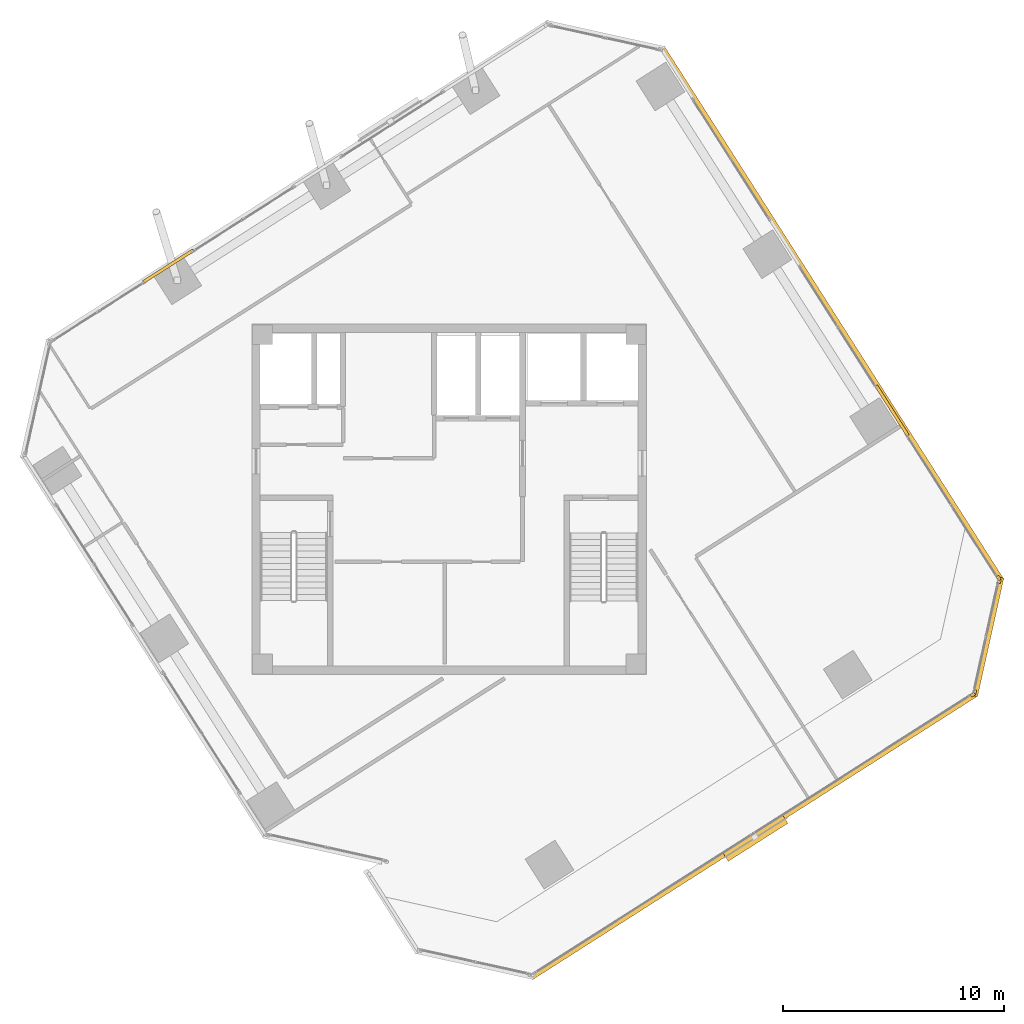
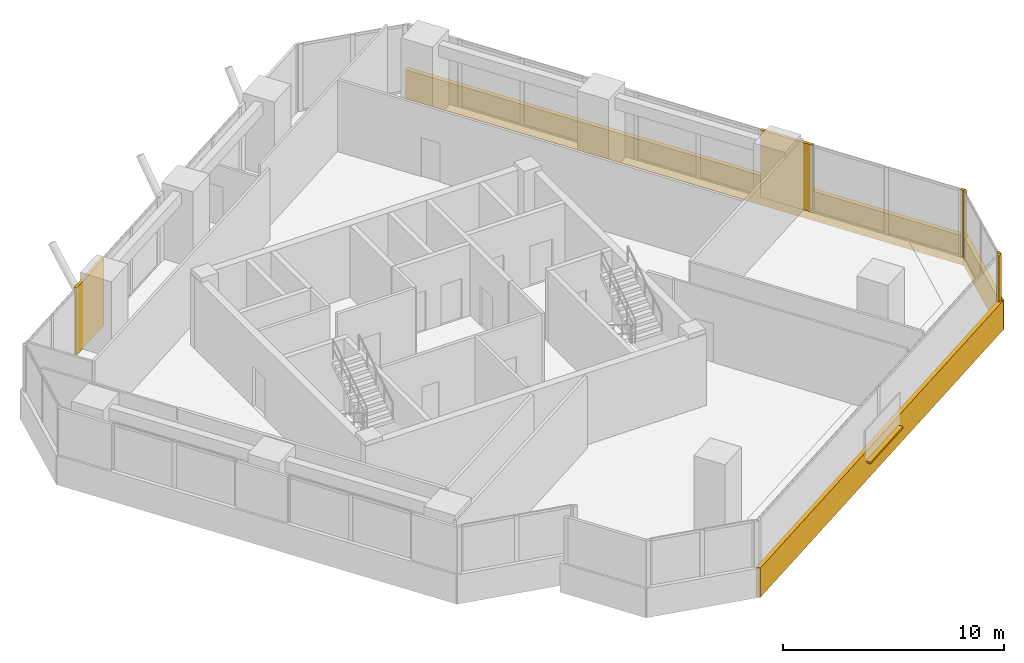
# One storey, part 13 of 14: 9 coverings, 1 shading device.
"""IFC4 building model written with IfcOpenShell, lengths in metres."""

from ifc_helpers import new_model, si_unit, direction, frame, origin, origin_2d, place, context, subcontext, project, spatial, rectangle, extrude, source, transform, mapped, material, layer, layer_set, type_object, element, save


model = new_model("IFC4")

# Units and contexts
model_context = context("Model", 3, precision=1e-05, world=origin(), true_north=direction((0.0, 1.0)))
body_context = subcontext(model_context, "Body", "Model", "MODEL_VIEW")
ifc_project = project(units=[si_unit("LENGTHUNIT", "METRE"), si_unit("AREAUNIT", "SQUARE_METRE"), si_unit("VOLUMEUNIT", "CUBIC_METRE"), si_unit("PLANEANGLEUNIT", "RADIAN"), si_unit("MASSUNIT", "GRAM", prefix="KILO")], contexts=[model_context])

# Site, building, storey
site_placement = place(None, origin())
site = spatial("IfcSite", under=ifc_project, at=site_placement, CompositionType="ELEMENT")
building_placement = place(site_placement, origin())
building = spatial("IfcBuilding", under=site, at=building_placement, Name="Torre Montelarca", CompositionType="ELEMENT")
storey_placement = place(building_placement, frame((0.0, 0.0, 315.60009765625)))
storey = spatial("IfcBuildingStorey", under=building, at=storey_placement, Name="L71", CompositionType="ELEMENT", Elevation=315.60009765625)

# Shading device
ifc_material_1 = material(Name="Anodised champagne bronze aluminium AA 6063-T6", Category="aluminium")
ifc_layer_1 = layer(ifc_material_1, 0.070068359375, Name="Anodised champagne bronze aluminium AA 6063-T6", Category="aluminium")
ifc_layer_set_1 = layer_set([ifc_layer_1], Name="Anodised champagne bronze aluminium AA 6063-T6")
shading_device_type = type_object("IfcShadingDeviceType", Name="SHD-SUNSHADE-1", PredefinedType="USERDEFINED", material=ifc_layer_set_1)
shared_shape_1 = source(origin(), body_context, "Body", "SweptSolid", [
    extrude(rectangle(XDim=3.199951171875, YDim=0.47998046875, at=origin_2d()), origin(), (0.0, 0.0, 1.0), 0.10009765625),
])
shading_device_placement = place(storey_placement, frame((31.85107421875, 16.682861328125, 0.56982421875), z_axis=(0.0, 0.0, 1.0), x_axis=(0.843391445813, 0.537299608347, 0.0)))
element("IfcShadingDevice", 1, at=shading_device_placement, inside=storey, type_object=shading_device_type, Name="L71 Facade Solar Shading Device E6", ObjectType="SUNSHADE", PredefinedType="USERDEFINED", context=body_context, shape_type="MappedRepresentation", body=[
    mapped(shared_shape_1, transform((0.0, 0.0, 0.0), scale=1.0)),
])

# Coverings
ifc_material_2 = material(Name="Bush-hammered warm white precast concrete C45/55", Category="concrete")
ifc_layer_2 = layer(ifc_material_2, 0.139892578125, Name="Bush-hammered warm white precast concrete C45/55", Category="concrete")
ifc_layer_set_2 = layer_set([ifc_layer_2], Name="Bush-hammered warm white precast concrete C45/55")
covering_type = type_object("IfcCoveringType", Name="COV-TRAY-CLAD", PredefinedType="CLADDING", material=ifc_layer_set_2)
shared_shape_2 = source(origin(), body_context, "Body", "SweptSolid", [
    extrude(rectangle(XDim=0.199951171875, YDim=0.139892578125, at=origin_2d()), origin(), (0.0, 0.0, 1.0), 3.719970703125),
])
for number, where, z_axis, x_axis, name in (
    (2, (41.6982421875, 23.15771484375, 0.0), (0.0, 0.0, 1.0), (0.843390508047, 0.537301080342, 0.0), "L71 Architectural Column Pier Cladding E06-2"),
    (3, (41.781494140625, 23.276611328125, 0.0), (0.0, 0.0, 1.0), (0.216429390178, 0.976298273617, 0.0), "L71 Architectural Column Pier Cladding E07-1"),
    (4, (42.89453125, 28.297119140625, 0.0), (0.0, 0.0, 1.0), (0.216429390178, 0.976298273617, 0.0), "L71 Architectural Column Pier Cladding E07-2"),
    (5, (42.869384765625, 28.440185546875, 0.0), (0.0, 0.0, 1.0), (-0.537299608347, 0.843391445813, 0.0), "L71 Architectural Column Pier Cladding E08-1"),
):
    element("IfcCovering", number, at=place(storey_placement, frame(where, z_axis=z_axis, x_axis=x_axis)), inside=storey, type_object=covering_type, Name=name, PredefinedType="CLADDING", context=body_context, shape_type="MappedRepresentation", body=[
        mapped(shared_shape_2, transform((0.0, 0.0, 0.0), scale=1.0)),
    ])
shared_shape_3 = source(origin(), body_context, "Body", "SweptSolid", [
    extrude(rectangle(XDim=2.659912109375, YDim=0.139892578125, at=origin_2d()), origin(), (0.0, 0.0, 1.0), 3.719970703125),
])
for number, where, z_axis, x_axis, name in (
    (6, (38.042236328125, 36.01708984375, 0.0), (0.0, 0.0, 1.0), (-0.537299608347, 0.843391445813, 0.0), "L71 Architectural Column Pier Cladding E08-2"),
    (7, (5.291015625, 42.5537109375, 0.0), (0.0, 0.0, 1.0), (-0.843390508047, -0.537301080342, 0.0), "L71 Architectural Column Pier Cladding E10-4"),
):
    element("IfcCovering", number, at=place(storey_placement, frame(where, z_axis=z_axis, x_axis=x_axis)), inside=storey, type_object=covering_type, Name=name, PredefinedType="CLADDING", context=body_context, shape_type="MappedRepresentation", body=[
        mapped(shared_shape_3, transform((0.0, 0.0, 0.0), scale=1.0)),
    ])
shared_shape_4 = source(origin(), body_context, "Body", "SweptSolid", [
    extrude(rectangle(XDim=5.493896484375, YDim=0.219970703125, at=origin_2d()), origin(), (0.0, 0.0, 1.0), 1.6201171875),
])
covering_1_placement = place(storey_placement, frame((42.396728515625, 25.77392578125, -0.4501953125), z_axis=(0.0, 0.0, 1.0), x_axis=(0.216432798101, 0.97629751813, 0.0)))
element("IfcCovering", 8, at=covering_1_placement, inside=storey, type_object=covering_type, Name="L71 Architectural White Spandrel Tray Band TRYBOT-07", PredefinedType="CLADDING", context=body_context, shape_type="MappedRepresentation", body=[
    mapped(shared_shape_4, transform((0.0, 0.0, 0.0), scale=1.0)),
])
shared_shape_5 = source(origin(), body_context, "Body", "SweptSolid", [
    extrude(rectangle(XDim=28.6201171875, YDim=0.219970703125, at=origin_2d()), origin(), (0.0, 0.0, 1.0), 1.6201171875),
])
covering_2_placement = place(storey_placement, frame((35.32568359375, 40.392822265625, -0.4501953125), z_axis=(0.0, 0.0, 1.0), x_axis=(-0.53729813635, 0.843392383576, 0.0)))
element("IfcCovering", 9, at=covering_2_placement, inside=storey, type_object=covering_type, Name="L71 Architectural White Spandrel Tray Band TRYBOT-08", PredefinedType="CLADDING", context=body_context, shape_type="MappedRepresentation", body=[
    mapped(shared_shape_5, transform((0.0, 0.0, 0.0), scale=1.0)),
])
shared_shape_6 = source(origin(), body_context, "Body", "SweptSolid", [
    extrude(rectangle(XDim=23.919921875, YDim=0.219970703125, at=origin_2d()), origin(), (0.0, 0.0, 1.0), 1.6201171875),
])
covering_3_placement = place(storey_placement, frame((31.7919921875, 16.775634765625, -0.4501953125), z_axis=(0.0, 0.0, 1.0), x_axis=(0.843391445813, 0.537299608347, 0.0)))
element("IfcCovering", 10, at=covering_3_placement, inside=storey, type_object=covering_type, Name="L71 Architectural White Spandrel Tray Band TRYBOT-06", PredefinedType="CLADDING", context=body_context, shape_type="MappedRepresentation", body=[
    mapped(shared_shape_6, transform((0.0, 0.0, 0.0), scale=1.0)),
])

save(model, "model.ifc")
